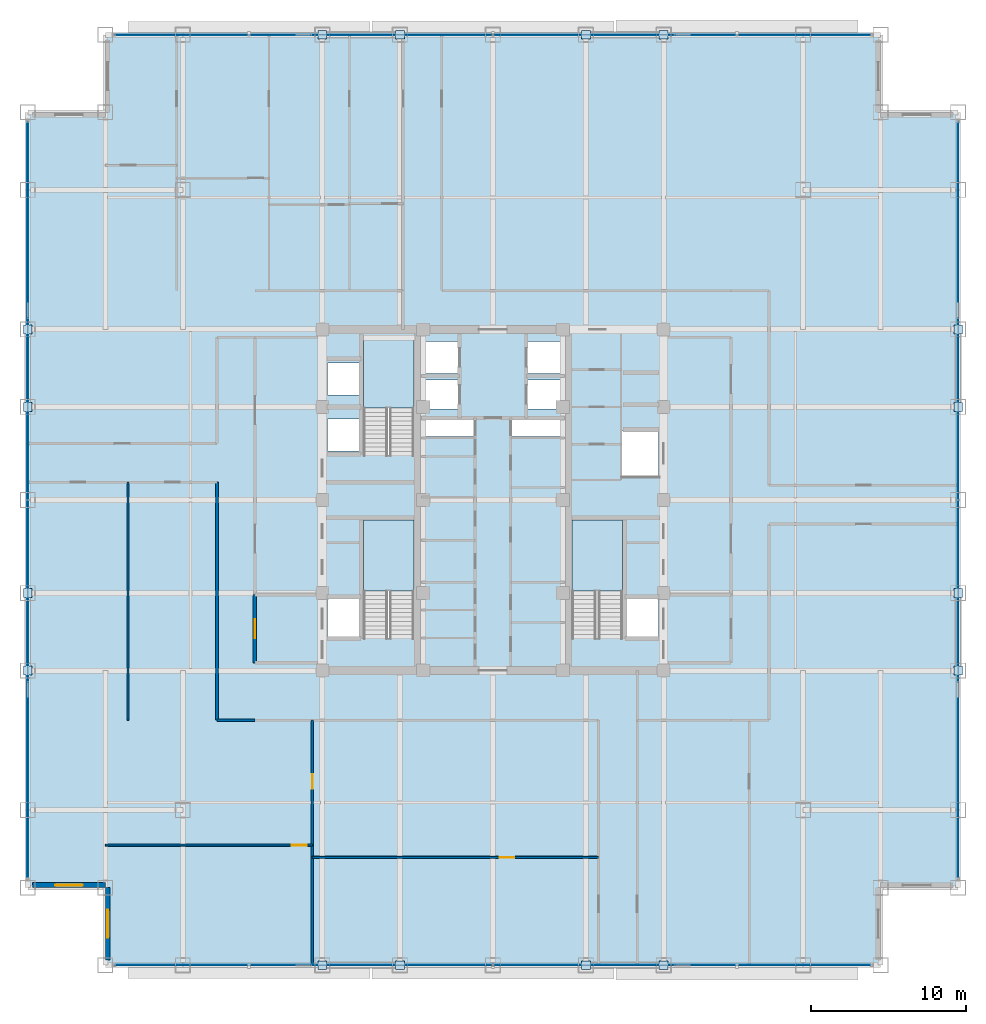
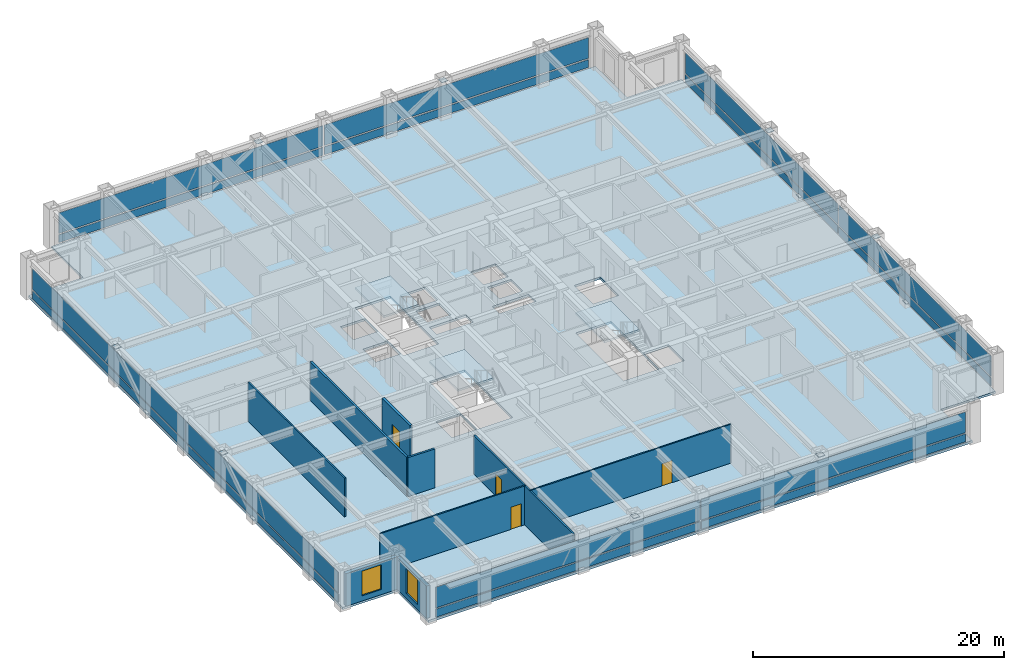
# One storey, part 19 of 29: 32 plates, 9 walls, 4 doors, 4 slabs, 2 windows, 6 openings, 7 elements without a shape of their own.
"""IFC4 building model written with IfcOpenShell, lengths in metres."""

from ifc_helpers import new_model, si_unit, direction, frame, frame_2d, origin, origin_2d, place, context, subcontext, project, spatial, polyline, rectangle, outline, extrude, source, transform, mapped, material, layer, layer_set, type_object, element, fill, aggregate, save


model = new_model("IFC4")

# Units and contexts
model_context = context("Model", 3, precision=1e-05, world=origin(), true_north=direction((0.0, 1.0)))
body_context = subcontext(model_context, "Body", "Model", "MODEL_VIEW")
ifc_project = project(units=[si_unit("LENGTHUNIT", "METRE"), si_unit("AREAUNIT", "SQUARE_METRE"), si_unit("VOLUMEUNIT", "CUBIC_METRE"), si_unit("PLANEANGLEUNIT", "RADIAN"), si_unit("MASSUNIT", "GRAM", prefix="KILO")], contexts=[model_context])

# Site, building, storey
site_placement = place(None, origin())
site = spatial("IfcSite", under=ifc_project, at=site_placement, CompositionType="ELEMENT")
building_placement = place(site_placement, origin())
building = spatial("IfcBuilding", under=site, at=building_placement, Name="Khorayat Bourse Tower", CompositionType="ELEMENT")
storey_placement = place(building_placement, frame((0.0, 0.0, 239.10009765625)))
storey = spatial("IfcBuildingStorey", under=building, at=storey_placement, Name="L56", CompositionType="ELEMENT", Elevation=239.10009765625)

# Stair, slab
ifc_material_1 = material(Name="Concrete C40/50", Category="concrete")
stair_type = type_object("IfcStairType", Name="STR-CORE-1550", PredefinedType="HALF_TURN_STAIR", material=ifc_material_1)
stair_1_placement = place(storey_placement, origin())
stair_1 = element("IfcStair", 1, at=stair_1_placement, inside=storey, type_object=stair_type, Name="L56 Exit Stair ST-1", PredefinedType="HALF_TURN_STAIR")
ifc_layer_1 = layer(ifc_material_1, 0.199951171875)
ifc_layer_set_1 = layer_set([ifc_layer_1], Name="Concrete C40/50")
slab_type_1 = type_object("IfcSlabType", Name="SLB-LANDING-200", PredefinedType="LANDING", material=ifc_layer_set_1)
slab_1_placement = place(storey_placement, frame((0.0, 0.0, 1.7998046875)))
slab_1 = element("IfcSlab", 2, at=slab_1_placement, type_object=slab_type_1, Name="ST-1 landing 1", PredefinedType="LANDING", context=body_context, shape_type="SweptSolid", body=[
    extrude(outline(polyline([(-5.10009765625, -5.8701171875), (-5.10009765625, -1.300048828125), (-8.35009765625, -1.300048828125), (-8.35009765625, -5.8701171875), (-5.10009765625, -5.8701171875)])), origin(), (0.0, 0.0, 1.0), 0.2001953125),
])
aggregate(stair_1, [slab_1])

stair_2_placement = place(storey_placement, origin())
stair_2 = element("IfcStair", 3, at=stair_2_placement, inside=storey, type_object=stair_type, Name="L56 Exit Stair ST-2", PredefinedType="HALF_TURN_STAIR")
slab_2_placement = place(storey_placement, frame((0.0, 0.0, 1.7998046875)))
slab_2 = element("IfcSlab", 4, at=slab_2_placement, type_object=slab_type_1, Name="ST-2 landing 1", PredefinedType="LANDING", context=body_context, shape_type="SweptSolid", body=[
    extrude(outline(polyline([(-5.10009765625, 5.929931640625), (-5.10009765625, 10.5), (-8.35009765625, 10.5), (-8.35009765625, 5.929931640625), (-5.10009765625, 5.929931640625)])), origin(), (0.0, 0.0, 1.0), 0.2001953125),
])
aggregate(stair_2, [slab_2])

stair_3_placement = place(storey_placement, origin())
stair_3 = element("IfcStair", 5, at=stair_3_placement, inside=storey, type_object=stair_type, Name="L56 Exit Stair ST-3", PredefinedType="HALF_TURN_STAIR")
slab_3_placement = place(storey_placement, frame((0.0, 0.0, 1.7998046875)))
slab_3 = element("IfcSlab", 6, at=slab_3_placement, type_object=slab_type_1, Name="ST-3 landing 1", PredefinedType="LANDING", context=body_context, shape_type="SweptSolid", body=[
    extrude(outline(polyline([(8.35009765625, -5.8701171875), (8.35009765625, -1.300048828125), (5.10009765625, -1.300048828125), (5.10009765625, -5.8701171875), (8.35009765625, -5.8701171875)])), origin(), (0.0, 0.0, 1.0), 0.2001953125),
])
aggregate(stair_3, [slab_3])

# Slab
ifc_layer_2 = layer(ifc_material_1, 0.219970703125)
ifc_layer_set_2 = layer_set([ifc_layer_2], Name="Concrete C40/50")
slab_type_2 = type_object("IfcSlabType", Name="SLB-OFFICE-220", PredefinedType="FLOOR", material=ifc_layer_set_2)
slab_4_placement = place(storey_placement, frame((0.0, 0.0, -0.22021484375)))
element("IfcSlab", 7, at=slab_4_placement, inside=storey, type_object=slab_type_2, Name="L56 Main Floor Slab", PredefinedType="FLOOR", context=body_context, shape_type="SweptSolid", body=[
    extrude(outline(polyline([(-25.0, -30.0), (25.0, -30.0), (25.0, -25.0), (30.0, -25.0), (30.0, 25.0), (25.0, 25.0), (25.0, 30.0), (-25.0, 30.0), (-25.0, 25.0), (-30.0, 25.0), (-30.0, -25.0), (-25.0, -25.0), (-25.0, -30.0)]), holes=[polyline([(-8.35009765625, -8.945068359375), (-5.10009765625, -8.945068359375), (-5.10009765625, -1.300048828125), (-8.35009765625, -1.300048828125), (-8.35009765625, -8.945068359375)]), polyline([(-8.35009765625, 2.85498046875), (-5.10009765625, 2.85498046875), (-5.10009765625, 10.5), (-8.35009765625, 10.5), (-8.35009765625, 2.85498046875)]), polyline([(5.10009765625, -8.945068359375), (8.35009765625, -8.945068359375), (8.35009765625, -1.300048828125), (5.10009765625, -1.300048828125), (5.10009765625, -8.945068359375)]), polyline([(-4.3798828125, 8.169921875), (-2.1201171875, 8.169921875), (-2.1201171875, 10.22998046875), (-4.3798828125, 10.22998046875), (-4.3798828125, 8.169921875)]), polyline([(2.1201171875, 8.169921875), (4.3798828125, 8.169921875), (4.3798828125, 10.22998046875), (2.1201171875, 10.22998046875), (2.1201171875, 8.169921875)]), polyline([(-4.3798828125, 5.8701171875), (-2.219970703125, 5.8701171875), (-2.219970703125, 7.72998046875), (-4.3798828125, 7.72998046875), (-4.3798828125, 5.8701171875)]), polyline([(2.219970703125, 5.8701171875), (4.3798828125, 5.8701171875), (4.3798828125, 7.72998046875), (2.219970703125, 7.72998046875), (2.219970703125, 5.8701171875)]), polyline([(-10.679931640625, 3.169921875), (-8.419921875, 3.169921875), (-8.419921875, 5.22998046875), (-10.679931640625, 5.22998046875), (-10.679931640625, 3.169921875)]), polyline([(-10.679931640625, 6.77001953125), (-8.419921875, 6.77001953125), (-8.419921875, 8.830078125), (-10.679931640625, 8.830078125), (-10.679931640625, 6.77001953125)]), polyline([(-10.679931640625, -8.929931640625), (-8.419921875, -8.929931640625), (-8.419921875, -6.3701171875), (-10.679931640625, -6.3701171875), (-10.679931640625, -8.929931640625)]), polyline([(8.419921875, -8.929931640625), (10.679931640625, -8.929931640625), (10.679931640625, -6.3701171875), (8.419921875, -6.3701171875), (8.419921875, -8.929931640625)]), polyline([(8.320068359375, 1.52001953125), (10.679931640625, 1.52001953125), (10.679931640625, 4.47998046875), (8.320068359375, 4.47998046875), (8.320068359375, 1.52001953125)]), polyline([(-4.56005859375, 4.080078125), (-1.18994140625, 4.080078125), (-1.18994140625, 5.219970703125), (-4.56005859375, 5.219970703125), (-4.56005859375, 4.080078125)]), polyline([(1.18994140625, 4.080078125), (4.56005859375, 4.080078125), (4.56005859375, 5.219970703125), (1.18994140625, 5.219970703125), (1.18994140625, 4.080078125)])]), origin(), (0.0, 0.0, 1.0), 0.22021484375),
])

# Plates
ifc_material_2 = material(Name="Steel EN 10025-2 S355J2", Category="steel")
ifc_layer_3 = layer(ifc_material_2, 0.02490234375)
ifc_layer_set_3 = layer_set([ifc_layer_3], Name="Steel EN 10025-2 S355J2")
plate_type_1 = type_object("IfcPlateType", Name="PLT-ENDCAP-25", PredefinedType="SHEET", material=ifc_layer_set_3)
shared_shape_1 = source(origin(), body_context, "Body", "SweptSolid", [
    extrude(rectangle(XDim=0.56005859375, YDim=0.56005859375, at=origin_2d()), origin(), (0.0, 0.0, 1.0), 0.02490234375),
])
for number, where, z_axis, x_axis, name in (
    (8, (-11.0, -30.0, 0.237548828125), (0.0, 0.0, 1.0), (1.0, 0.0, 0.0), "L56 Perimeter Brace End Plate 001"),
    (9, (-6.0, -30.0, 3.517333984375), (0.0, 0.0, 1.0), (1.0, 0.0, 0.0), "L56 Perimeter Brace End Plate 002"),
    (10, (6.0, -30.0, 0.237548828125), (0.0, 0.0, 1.0), (1.0, 0.0, 0.0), "L56 Perimeter Brace End Plate 003"),
    (11, (11.0, -30.0, 3.517333984375), (0.0, 0.0, 1.0), (1.0, 0.0, 0.0), "L56 Perimeter Brace End Plate 004"),
    (12, (-11.0, 30.0, 0.237548828125), (0.0, 0.0, 1.0), (1.0, 0.0, 0.0), "L56 Perimeter Brace End Plate 005"),
    (13, (-6.0, 30.0, 3.517333984375), (0.0, 0.0, 1.0), (1.0, 0.0, 0.0), "L56 Perimeter Brace End Plate 006"),
    (14, (6.0, 30.0, 0.237548828125), (0.0, 0.0, 1.0), (1.0, 0.0, 0.0), "L56 Perimeter Brace End Plate 007"),
    (15, (11.0, 30.0, 3.517333984375), (0.0, 0.0, 1.0), (1.0, 0.0, 0.0), "L56 Perimeter Brace End Plate 008"),
    (16, (-30.0, -11.0, 0.237548828125), (0.0, 0.0, 1.0), (1.0, 0.0, 0.0), "L56 Perimeter Brace End Plate 009"),
    (17, (-30.0, -6.0, 3.517333984375), (0.0, 0.0, 1.0), (1.0, 0.0, 0.0), "L56 Perimeter Brace End Plate 010"),
    (18, (-30.0, 6.0, 0.237548828125), (0.0, 0.0, 1.0), (1.0, 0.0, 0.0), "L56 Perimeter Brace End Plate 011"),
    (19, (-30.0, 11.0, 3.517333984375), (0.0, 0.0, 1.0), (1.0, 0.0, 0.0), "L56 Perimeter Brace End Plate 012"),
    (20, (30.0, -11.0, 0.237548828125), (0.0, 0.0, 1.0), (1.0, 0.0, 0.0), "L56 Perimeter Brace End Plate 013"),
    (21, (30.0, -6.0, 3.517333984375), (0.0, 0.0, 1.0), (1.0, 0.0, 0.0), "L56 Perimeter Brace End Plate 014"),
    (22, (30.0, 6.0, 0.237548828125), (0.0, 0.0, 1.0), (1.0, 0.0, 0.0), "L56 Perimeter Brace End Plate 015"),
    (23, (30.0, 11.0, 3.517333984375), (0.0, 0.0, 1.0), (1.0, 0.0, 0.0), "L56 Perimeter Brace End Plate 016"),
):
    element("IfcPlate", number, at=place(storey_placement, frame(where, z_axis=z_axis, x_axis=x_axis)), inside=storey, type_object=plate_type_1, Name=name, PredefinedType="SHEET", context=body_context, shape_type="MappedRepresentation", body=[
        mapped(shared_shape_1, transform((0.0, 0.0, 0.0), scale=1.0)),
    ])

# Curtain wall, plates
ifc_material_3 = material(Name="Aluminium EN AW-6063 T6", Category="aluminium")
curtain_wall_type = type_object("IfcCurtainWallType", Name="CW-SYS-03", PredefinedType="NOTDEFINED", material=ifc_material_3)
curtain_wall_1_placement = place(storey_placement, origin())
curtain_wall_1 = element("IfcCurtainWall", 24, at=curtain_wall_1_placement, inside=storey, type_object=curtain_wall_type, Name="L56 Curtain Wall CW-L56-S1", PredefinedType="NOTDEFINED")
ifc_material_4 = material(Name="Honed desert limestone insulated spandrel", Category="masonry")
ifc_layer_4 = layer(ifc_material_4, 0.06494140625)
ifc_layer_set_4 = layer_set([ifc_layer_4], Name="Honed desert limestone insulated spandrel")
plate_type_2 = type_object("IfcPlateType", Name="CWP-SPAND-03", PredefinedType="CURTAIN_PANEL", material=ifc_layer_set_4)
shared_shape_2 = source(origin(), body_context, "Body", "SweptSolid", [
    extrude(rectangle(XDim=24.27001953125, YDim=0.06494140625, at=origin_2d()), origin(), (0.0, 0.0, 1.0), 0.77001953125),
])
plate_1_placement = place(storey_placement, frame((-12.195068359375, -30.0, 0.119873046875), z_axis=(0.0, 0.0, 1.0), x_axis=(1.0, 0.0, 0.0)))
plate_1 = element("IfcPlate", 25, at=plate_1_placement, type_object=plate_type_2, Name="CW-L56-S1 Spandrel Panel 1-1", PredefinedType="CURTAIN_PANEL", context=body_context, shape_type="MappedRepresentation", body=[
    mapped(shared_shape_2, transform((0.0, 0.0, 0.0), scale=1.0)),
])
plate_2_placement = place(storey_placement, frame((12.195068359375, -30.0, 0.119873046875), z_axis=(0.0, 0.0, 1.0), x_axis=(1.0, 0.0, 0.0)))
plate_2 = element("IfcPlate", 26, at=plate_2_placement, type_object=plate_type_2, Name="CW-L56-S1 Spandrel Panel 2-1", PredefinedType="CURTAIN_PANEL", context=body_context, shape_type="MappedRepresentation", body=[
    mapped(shared_shape_2, transform((0.0, 0.0, 0.0), scale=1.0)),
])

curtain_wall_2_placement = place(storey_placement, origin())
curtain_wall_2 = element("IfcCurtainWall", 27, at=curtain_wall_2_placement, inside=storey, type_object=curtain_wall_type, Name="L56 Curtain Wall CW-L56-N1", PredefinedType="NOTDEFINED")
plate_3_placement = place(storey_placement, frame((-12.195068359375, 30.0, 0.119873046875), z_axis=(0.0, 0.0, 1.0), x_axis=(1.0, 0.0, 0.0)))
plate_3 = element("IfcPlate", 28, at=plate_3_placement, type_object=plate_type_2, Name="CW-L56-N1 Spandrel Panel 1-1", PredefinedType="CURTAIN_PANEL", context=body_context, shape_type="MappedRepresentation", body=[
    mapped(shared_shape_2, transform((0.0, 0.0, 0.0), scale=1.0)),
])
plate_4_placement = place(storey_placement, frame((12.195068359375, 30.0, 0.119873046875), z_axis=(0.0, 0.0, 1.0), x_axis=(1.0, 0.0, 0.0)))
plate_4 = element("IfcPlate", 29, at=plate_4_placement, type_object=plate_type_2, Name="CW-L56-N1 Spandrel Panel 2-1", PredefinedType="CURTAIN_PANEL", context=body_context, shape_type="MappedRepresentation", body=[
    mapped(shared_shape_2, transform((0.0, 0.0, 0.0), scale=1.0)),
])

curtain_wall_3_placement = place(storey_placement, origin())
curtain_wall_3 = element("IfcCurtainWall", 30, at=curtain_wall_3_placement, inside=storey, type_object=curtain_wall_type, Name="L56 Curtain Wall CW-L56-W1", PredefinedType="NOTDEFINED")
plate_5_placement = place(storey_placement, frame((-30.0, -12.195068359375, 0.119873046875), z_axis=(0.0, 0.0, 1.0), x_axis=(0.0, 1.0, 0.0)))
plate_5 = element("IfcPlate", 31, at=plate_5_placement, type_object=plate_type_2, Name="CW-L56-W1 Spandrel Panel 1-1", PredefinedType="CURTAIN_PANEL", context=body_context, shape_type="MappedRepresentation", body=[
    mapped(shared_shape_2, transform((0.0, 0.0, 0.0), scale=1.0)),
])
plate_6_placement = place(storey_placement, frame((-30.0, 12.195068359375, 0.119873046875), z_axis=(0.0, 0.0, 1.0), x_axis=(0.0, 1.0, 0.0)))
plate_6 = element("IfcPlate", 32, at=plate_6_placement, type_object=plate_type_2, Name="CW-L56-W1 Spandrel Panel 2-1", PredefinedType="CURTAIN_PANEL", context=body_context, shape_type="MappedRepresentation", body=[
    mapped(shared_shape_2, transform((0.0, 0.0, 0.0), scale=1.0)),
])

curtain_wall_4_placement = place(storey_placement, origin())
curtain_wall_4 = element("IfcCurtainWall", 33, at=curtain_wall_4_placement, inside=storey, type_object=curtain_wall_type, Name="L56 Curtain Wall CW-L56-E1", PredefinedType="NOTDEFINED")
plate_7_placement = place(storey_placement, frame((30.0, -12.195068359375, 0.119873046875), z_axis=(0.0, 0.0, 1.0), x_axis=(0.0, 1.0, 0.0)))
plate_7 = element("IfcPlate", 34, at=plate_7_placement, type_object=plate_type_2, Name="CW-L56-E1 Spandrel Panel 1-1", PredefinedType="CURTAIN_PANEL", context=body_context, shape_type="MappedRepresentation", body=[
    mapped(shared_shape_2, transform((0.0, 0.0, 0.0), scale=1.0)),
])
plate_8_placement = place(storey_placement, frame((30.0, 12.195068359375, 0.119873046875), z_axis=(0.0, 0.0, 1.0), x_axis=(0.0, 1.0, 0.0)))
plate_8 = element("IfcPlate", 35, at=plate_8_placement, type_object=plate_type_2, Name="CW-L56-E1 Spandrel Panel 2-1", PredefinedType="CURTAIN_PANEL", context=body_context, shape_type="MappedRepresentation", body=[
    mapped(shared_shape_2, transform((0.0, 0.0, 0.0), scale=1.0)),
])

# Plate
ifc_material_5 = material(Name="Low-E solar-control laminated double glazing", Category="glass")
ifc_layer_5 = layer(ifc_material_5, 0.035888671875)
ifc_layer_set_5 = layer_set([ifc_layer_5], Name="Low-E solar-control laminated double glazing")
plate_type_3 = type_object("IfcPlateType", Name="CWP-VIS-01", PredefinedType="CURTAIN_PANEL", material=ifc_layer_set_5)
shared_shape_3 = source(origin(), body_context, "Body", "SweptSolid", [
    extrude(rectangle(XDim=24.27001953125, YDim=0.035888671875, at=origin_2d()), origin(), (0.0, 0.0, 1.0), 2.0),
])
plate_9_placement = place(storey_placement, frame((-12.195068359375, -30.0, 1.010009765625), z_axis=(0.0, 0.0, 1.0), x_axis=(1.0, 0.0, 0.0)))
plate_9 = element("IfcPlate", 36, at=plate_9_placement, type_object=plate_type_3, Name="CW-L56-S1 Vision Panel 1-2", PredefinedType="CURTAIN_PANEL", context=body_context, shape_type="MappedRepresentation", body=[
    mapped(shared_shape_3, transform((0.0, 0.0, 0.0), scale=1.0)),
])

plate_10_placement = place(storey_placement, frame((12.195068359375, -30.0, 1.010009765625), z_axis=(0.0, 0.0, 1.0), x_axis=(1.0, 0.0, 0.0)))
plate_10 = element("IfcPlate", 37, at=plate_10_placement, type_object=plate_type_3, Name="CW-L56-S1 Vision Panel 2-2", PredefinedType="CURTAIN_PANEL", context=body_context, shape_type="MappedRepresentation", body=[
    mapped(shared_shape_3, transform((0.0, 0.0, 0.0), scale=1.0)),
])

aggregate(curtain_wall_1, [plate_1, plate_9, plate_2, plate_10])

plate_11_placement = place(storey_placement, frame((-12.195068359375, 30.0, 1.010009765625), z_axis=(0.0, 0.0, 1.0), x_axis=(1.0, 0.0, 0.0)))
plate_11 = element("IfcPlate", 38, at=plate_11_placement, type_object=plate_type_3, Name="CW-L56-N1 Vision Panel 1-2", PredefinedType="CURTAIN_PANEL", context=body_context, shape_type="MappedRepresentation", body=[
    mapped(shared_shape_3, transform((0.0, 0.0, 0.0), scale=1.0)),
])

plate_12_placement = place(storey_placement, frame((12.195068359375, 30.0, 1.010009765625), z_axis=(0.0, 0.0, 1.0), x_axis=(1.0, 0.0, 0.0)))
plate_12 = element("IfcPlate", 39, at=plate_12_placement, type_object=plate_type_3, Name="CW-L56-N1 Vision Panel 2-2", PredefinedType="CURTAIN_PANEL", context=body_context, shape_type="MappedRepresentation", body=[
    mapped(shared_shape_3, transform((0.0, 0.0, 0.0), scale=1.0)),
])

aggregate(curtain_wall_2, [plate_3, plate_11, plate_4, plate_12])

plate_13_placement = place(storey_placement, frame((-30.0, -12.195068359375, 1.010009765625), z_axis=(0.0, 0.0, 1.0), x_axis=(0.0, 1.0, 0.0)))
plate_13 = element("IfcPlate", 40, at=plate_13_placement, type_object=plate_type_3, Name="CW-L56-W1 Vision Panel 1-2", PredefinedType="CURTAIN_PANEL", context=body_context, shape_type="MappedRepresentation", body=[
    mapped(shared_shape_3, transform((0.0, 0.0, 0.0), scale=1.0)),
])

plate_14_placement = place(storey_placement, frame((-30.0, 12.195068359375, 1.010009765625), z_axis=(0.0, 0.0, 1.0), x_axis=(0.0, 1.0, 0.0)))
plate_14 = element("IfcPlate", 41, at=plate_14_placement, type_object=plate_type_3, Name="CW-L56-W1 Vision Panel 2-2", PredefinedType="CURTAIN_PANEL", context=body_context, shape_type="MappedRepresentation", body=[
    mapped(shared_shape_3, transform((0.0, 0.0, 0.0), scale=1.0)),
])

aggregate(curtain_wall_3, [plate_5, plate_13, plate_6, plate_14])

plate_15_placement = place(storey_placement, frame((30.0, -12.195068359375, 1.010009765625), z_axis=(0.0, 0.0, 1.0), x_axis=(0.0, 1.0, 0.0)))
plate_15 = element("IfcPlate", 42, at=plate_15_placement, type_object=plate_type_3, Name="CW-L56-E1 Vision Panel 1-2", PredefinedType="CURTAIN_PANEL", context=body_context, shape_type="MappedRepresentation", body=[
    mapped(shared_shape_3, transform((0.0, 0.0, 0.0), scale=1.0)),
])

plate_16_placement = place(storey_placement, frame((30.0, 12.195068359375, 1.010009765625), z_axis=(0.0, 0.0, 1.0), x_axis=(0.0, 1.0, 0.0)))
plate_16 = element("IfcPlate", 43, at=plate_16_placement, type_object=plate_type_3, Name="CW-L56-E1 Vision Panel 2-2", PredefinedType="CURTAIN_PANEL", context=body_context, shape_type="MappedRepresentation", body=[
    mapped(shared_shape_3, transform((0.0, 0.0, 0.0), scale=1.0)),
])

aggregate(curtain_wall_4, [plate_7, plate_15, plate_8, plate_16])

# Wall, opening, window
ifc_material_6 = material(Name="Precast concrete C45/55", Category="concrete")
ifc_layer_6 = layer(ifc_material_6, 0.320068359375)
ifc_layer_set_6 = layer_set([ifc_layer_6], Name="Precast concrete C45/55")
wall_type_1 = type_object("IfcWallType", Name="WAL-EXT-STONE-320", PredefinedType="STANDARD", material=ifc_layer_set_6)
shared_shape_4 = source(origin(), body_context, "Body", "SweptSolid", [
    extrude(rectangle(XDim=4.679931640625, YDim=0.320068359375, at=frame_2d((2.33984375, 0.0))), origin(), (0.0, 0.0, 1.0), 3.163818359375),
])
wall_1_placement = place(storey_placement, frame((-25.0, -24.840087890625, 0.0), z_axis=(0.0, 0.0, 1.0), x_axis=(-1.0, 0.0, 0.0)))
wall_1 = element("IfcWall", 44, at=wall_1_placement, inside=storey, type_object=wall_type_1, Name="L56 Re-Entrant Notch Limestone Wall SW-H", PredefinedType="STANDARD", context=body_context, shape_type="MappedRepresentation", body=[
    mapped(shared_shape_4, transform((0.0, 0.0, 0.0), scale=1.0)),
])
shared_shape_5 = source(origin(), body_context, "Body", "SweptSolid", [
    extrude(rectangle(XDim=1.800048828125, YDim=2.39990234375, at=frame_2d((0.89990234375, 1.199951171875))), frame((0.0, 0.169921875, 0.0), z_axis=(0.0, -1.0, 0.0), x_axis=(1.0, 0.0, 0.0)), (0.0, 0.0, 1.0), 0.340087890625),
])
opening_1_placement = place(wall_1_placement, frame((1.43994140625, 0.0, 0.5)))
opening_1 = element("IfcOpeningElement", 45, at=opening_1_placement, cuts=wall_1, Name="Opening WN-04", PredefinedType="OPENING", context=body_context, shape_type="MappedRepresentation", body=[
    mapped(shared_shape_5, transform((0.0, 0.0, 0.0), scale=1.0)),
])
ifc_material_7 = material(Name="Low-E acoustic laminated double glazing", Category="glass")
window_type = type_object("IfcWindowType", Name="WIN-NOTCH-1800x2400", PartitioningType="SINGLE_PANEL", PredefinedType="WINDOW", material=ifc_material_7)
shared_shape_6 = source(origin(), body_context, "Body", "SweptSolid", [
    extrude(rectangle(XDim=1.800048828125, YDim=2.39990234375, at=frame_2d((0.89990234375, 1.199951171875))), frame((0.0, 0.030029296875, 0.0), z_axis=(0.0, -1.0, 0.0), x_axis=(1.0, 0.0, 0.0)), (0.0, 0.0, 1.0), 0.06005859375),
])
window_1_placement = place(opening_1_placement, origin())
window_1 = element("IfcWindow", 46, at=window_1_placement, inside=storey, type_object=window_type, Name="L56 Facade Window 1", OverallHeight=2.39990234375, OverallWidth=1.800048828125, PartitioningType="SINGLE_PANEL", PredefinedType="WINDOW", context=body_context, shape_type="MappedRepresentation", body=[
    mapped(shared_shape_6, transform((0.0, 0.0, 0.0), scale=1.0)),
])
fill(opening_1, window_1)

wall_2_placement = place(storey_placement, frame((-24.840087890625, -29.679931640625, 0.0), z_axis=(0.0, 0.0, 1.0), x_axis=(0.0, 1.0, 0.0)))
wall_2 = element("IfcWall", 47, at=wall_2_placement, inside=storey, type_object=wall_type_1, Name="L56 Re-Entrant Notch Limestone Wall SW-V", PredefinedType="STANDARD", context=body_context, shape_type="MappedRepresentation", body=[
    mapped(shared_shape_4, transform((0.0, 0.0, 0.0), scale=1.0)),
])
opening_2_placement = place(wall_2_placement, frame((1.43994140625, 0.0, 0.5)))
opening_2 = element("IfcOpeningElement", 48, at=opening_2_placement, cuts=wall_2, Name="Opening WN-04", PredefinedType="OPENING", context=body_context, shape_type="MappedRepresentation", body=[
    mapped(shared_shape_5, transform((0.0, 0.0, 0.0), scale=1.0)),
])
window_2_placement = place(opening_2_placement, origin())
window_2 = element("IfcWindow", 49, at=window_2_placement, inside=storey, type_object=window_type, Name="L56 Facade Window 1", OverallHeight=2.39990234375, OverallWidth=1.800048828125, PartitioningType="SINGLE_PANEL", PredefinedType="WINDOW", context=body_context, shape_type="MappedRepresentation", body=[
    mapped(shared_shape_6, transform((0.0, 0.0, 0.0), scale=1.0)),
])
fill(opening_2, window_2)

# Wall, opening, door
ifc_material_8 = material(Name="Aerated concrete blockwork", Category="masonry")
ifc_layer_7 = layer(ifc_material_8, 0.219970703125)
ifc_layer_set_7 = layer_set([ifc_layer_7], Name="Aerated concrete blockwork")
wall_type_2 = type_object("IfcWallType", Name="WAL-PART-FF-220", PredefinedType="PARTITIONING", material=ifc_layer_set_7)
shared_shape_7 = source(origin(), body_context, "Body", "SweptSolid", [
    extrude(rectangle(XDim=4.39990234375, YDim=0.219970703125, at=frame_2d((2.199951171875, 0.0))), origin(), (0.0, 0.0, 1.0), 3.77978515625),
])
wall_3_placement = place(storey_placement, frame((-15.35009765625, -10.5, 0.0), z_axis=(0.0, 0.0, 1.0), x_axis=(0.0, 1.0, 0.0)))
wall_3 = element("IfcWall", 50, at=wall_3_placement, inside=storey, type_object=wall_type_2, Name="L56 Partition WAL-L56-FFLW-W", PredefinedType="PARTITIONING", context=body_context, shape_type="MappedRepresentation", body=[
    mapped(shared_shape_7, transform((0.0, 0.0, 0.0), scale=1.0)),
])
shared_shape_8 = source(origin(), body_context, "Body", "SweptSolid", [
    extrude(rectangle(XDim=1.199951171875, YDim=2.199951171875, at=frame_2d((0.60009765625, 1.10009765625))), frame((0.0, 0.119873046875, 0.0), z_axis=(0.0, -1.0, 0.0), x_axis=(1.0, 0.0, 0.0)), (0.0, 0.0, 1.0), 0.239990234375),
])
opening_3_placement = place(wall_3_placement, frame((1.60009765625, 0.0, 0.0)))
opening_3 = element("IfcOpeningElement", 51, at=opening_3_placement, cuts=wall_3, Name="Opening DI-02", PredefinedType="OPENING", context=body_context, shape_type="MappedRepresentation", body=[
    mapped(shared_shape_8, transform((0.0, 0.0, 0.0), scale=1.0)),
])
ifc_material_9 = material(Name="Fire-rated steel double-seal leaf", Category="steel")
door_type_1 = type_object("IfcDoorType", Name="DR-INT-FFLOBBY-1200", OperationType="NOTDEFINED", PredefinedType="DOOR", material=ifc_material_9)
shared_shape_9 = source(origin(), body_context, "Body", "SweptSolid", [
    extrude(rectangle(XDim=1.199951171875, YDim=2.199951171875, at=frame_2d((0.60009765625, 1.10009765625))), frame((0.0, 0.02490234375, 0.0), z_axis=(0.0, -1.0, 0.0), x_axis=(1.0, 0.0, 0.0)), (0.0, 0.0, 1.0), 0.050048828125),
])
door_1_placement = place(opening_3_placement, origin())
door_1 = element("IfcDoor", 52, at=door_1_placement, inside=storey, type_object=door_type_1, Name="L56 West Firefighting Lobby Door", OperationType="SINGLE_SWING_LEFT", OverallHeight=2.199951171875, OverallWidth=1.199951171875, PredefinedType="DOOR", context=body_context, shape_type="MappedRepresentation", body=[
    mapped(shared_shape_9, transform((0.0, 0.0, 0.0), scale=1.0)),
])
fill(opening_3, door_1)

# Wall
ifc_material_10 = material(Name="Gypsum plasterboard acoustic stud wall")
ifc_layer_8 = layer(ifc_material_10, 0.179931640625)
ifc_layer_set_8 = layer_set([ifc_layer_8], Name="Gypsum plasterboard acoustic stud wall")
wall_type_3 = type_object("IfcWallType", Name="WAL-PART-CORR-180", PredefinedType="PARTITIONING", material=ifc_layer_set_8)
shared_shape_10 = source(origin(), body_context, "Body", "SweptSolid", [
    extrude(rectangle(XDim=2.449951171875, YDim=0.179931640625, at=frame_2d((1.22509765625, 0.0))), origin(), (0.0, 0.0, 1.0), 3.77978515625),
])
wall_4_placement = place(storey_placement, frame((-17.800048828125, -14.199951171875, 0.0), z_axis=(0.0, 0.0, 1.0), x_axis=(1.0, 0.0, 0.0)))
element("IfcWall", 53, at=wall_4_placement, inside=storey, type_object=wall_type_3, Name="L56 Partition WAL-L56-C2-WS", PredefinedType="PARTITIONING", context=body_context, shape_type="MappedRepresentation", body=[
    mapped(shared_shape_10, transform((0.0, 0.0, 0.0), scale=1.0)),
])

# Wall, opening, door
ifc_material_11 = material(Name="Gypsum plasterboard twin-frame partition")
ifc_layer_9 = layer(ifc_material_11, 0.14990234375)
ifc_layer_set_9 = layer_set([ifc_layer_9], Name="Gypsum plasterboard twin-frame partition")
wall_type_4 = type_object("IfcWallType", Name="WAL-PART-SUITE-150", PredefinedType="PARTITIONING", material=ifc_layer_set_9)
shared_shape_11 = source(origin(), body_context, "Body", "SweptSolid", [
    extrude(rectangle(XDim=15.800048828125, YDim=0.14990234375, at=frame_2d((7.89990234375, 0.0))), origin(), (0.0, 0.0, 1.0), 3.77978515625),
])
wall_5_placement = place(storey_placement, frame((-11.64404296875, -30.0, 0.0), z_axis=(0.0, 0.0, 1.0), x_axis=(0.0, 1.0, 0.0)))
wall_5 = element("IfcWall", 54, at=wall_5_placement, inside=storey, type_object=wall_type_4, Name="L56 Partition WAL-L56-QSWDV-1", PredefinedType="PARTITIONING", context=body_context, shape_type="MappedRepresentation", body=[
    mapped(shared_shape_11, transform((0.0, 0.0, 0.0), scale=1.0)),
])
shared_shape_12 = source(origin(), body_context, "Body", "SweptSolid", [
    extrude(rectangle(XDim=0.949951171875, YDim=2.14990234375, at=frame_2d((0.47509765625, 1.074951171875))), frame((0.0, 0.0849609375, 0.0), z_axis=(0.0, -1.0, 0.0), x_axis=(1.0, 0.0, 0.0)), (0.0, 0.0, 1.0), 0.169921875),
])
opening_4_placement = place(wall_5_placement, frame((11.375, 0.0, 0.0)))
opening_4 = element("IfcOpeningElement", 55, at=opening_4_placement, cuts=wall_5, Name="Opening DI-05", PredefinedType="OPENING", context=body_context, shape_type="MappedRepresentation", body=[
    mapped(shared_shape_12, transform((0.0, 0.0, 0.0), scale=1.0)),
])
ifc_material_12 = material(Name="Acoustic oak veneer office door")
door_type_2 = type_object("IfcDoorType", Name="DR-INT-OFFICE-950", OperationType="NOTDEFINED", PredefinedType="DOOR", material=ifc_material_12)
shared_shape_13 = source(origin(), body_context, "Body", "SweptSolid", [
    extrude(rectangle(XDim=0.949951171875, YDim=2.14990234375, at=frame_2d((0.47509765625, 1.074951171875))), frame((0.0, 0.02490234375, 0.0), z_axis=(0.0, -1.0, 0.0), x_axis=(1.0, 0.0, 0.0)), (0.0, 0.0, 1.0), 0.050048828125),
])
door_2_placement = place(opening_4_placement, origin())
door_2 = element("IfcDoor", 56, at=door_2_placement, inside=storey, type_object=door_type_2, Name="L56 South-West Suite Link 1", OperationType="SINGLE_SWING_RIGHT", OverallHeight=2.14990234375, OverallWidth=0.949951171875, PredefinedType="DOOR", context=body_context, shape_type="MappedRepresentation", body=[
    mapped(shared_shape_13, transform((0.0, 0.0, 0.0), scale=1.0)),
])
fill(opening_4, door_2)

ifc_material_13 = material(Name="Gypsum plasterboard partition")
ifc_layer_10 = layer(ifc_material_13, 0.125)
ifc_layer_set_10 = layer_set([ifc_layer_10], Name="Gypsum plasterboard partition")
wall_type_5 = type_object("IfcWallType", Name="WAL-PART-ROOM-125", PredefinedType="PARTITIONING", material=ifc_layer_set_10)
shared_shape_14 = source(origin(), body_context, "Body", "SweptSolid", [
    extrude(rectangle(XDim=13.35595703125, YDim=0.125, at=frame_2d((6.677978515625, 0.0))), origin(), (0.0, 0.0, 1.0), 3.77978515625),
])
wall_6_placement = place(storey_placement, frame((-25.0, -22.258056640625, 0.0), z_axis=(0.0, 0.0, 1.0), x_axis=(1.0, 0.0, 0.0)))
wall_6 = element("IfcWall", 57, at=wall_6_placement, inside=storey, type_object=wall_type_5, Name="L56 Partition WAL-L56-QSWDP-1", PredefinedType="PARTITIONING", context=body_context, shape_type="MappedRepresentation", body=[
    mapped(shared_shape_14, transform((0.0, 0.0, 0.0), scale=1.0)),
])
shared_shape_15 = source(origin(), body_context, "Body", "SweptSolid", [
    extrude(rectangle(XDim=0.949951171875, YDim=2.14990234375, at=frame_2d((0.47509765625, 1.074951171875))), frame((0.0, 0.072509765625, 0.0), z_axis=(0.0, -1.0, 0.0), x_axis=(1.0, 0.0, 0.0)), (0.0, 0.0, 1.0), 0.14501953125),
])
opening_5_placement = place(wall_6_placement, frame((12.031005859375, 0.0, 0.0)))
opening_5 = element("IfcOpeningElement", 58, at=opening_5_placement, cuts=wall_6, Name="Opening DI-05", PredefinedType="OPENING", context=body_context, shape_type="MappedRepresentation", body=[
    mapped(shared_shape_15, transform((0.0, 0.0, 0.0), scale=1.0)),
])
door_3_placement = place(opening_5_placement, origin())
door_3 = element("IfcDoor", 59, at=door_3_placement, inside=storey, type_object=door_type_2, Name="L56 South-West Issuer Listing Showroom 1B Door", OperationType="SINGLE_SWING_RIGHT", OverallHeight=2.14990234375, OverallWidth=0.949951171875, PredefinedType="DOOR", context=body_context, shape_type="MappedRepresentation", body=[
    mapped(shared_shape_13, transform((0.0, 0.0, 0.0), scale=1.0)),
])
fill(opening_5, door_3)

shared_shape_16 = source(origin(), body_context, "Body", "SweptSolid", [
    extrude(rectangle(XDim=18.444091796875, YDim=0.125, at=frame_2d((9.22216796875, 0.0))), origin(), (0.0, 0.0, 1.0), 3.77978515625),
])
wall_7_placement = place(storey_placement, frame((-11.64404296875, -23.048095703125, 0.0), z_axis=(0.0, 0.0, 1.0), x_axis=(1.0, 0.0, 0.0)))
wall_7 = element("IfcWall", 60, at=wall_7_placement, inside=storey, type_object=wall_type_5, Name="L56 Partition WAL-L56-QSWDP-2", PredefinedType="PARTITIONING", context=body_context, shape_type="MappedRepresentation", body=[
    mapped(shared_shape_16, transform((0.0, 0.0, 0.0), scale=1.0)),
])
opening_6_placement = place(wall_7_placement, frame((12.06689453125, 0.0, 0.0)))
opening_6 = element("IfcOpeningElement", 61, at=opening_6_placement, cuts=wall_7, Name="Opening DI-05", PredefinedType="OPENING", context=body_context, shape_type="MappedRepresentation", body=[
    mapped(shared_shape_15, transform((0.0, 0.0, 0.0), scale=1.0)),
])
door_4_placement = place(opening_6_placement, origin())
door_4 = element("IfcDoor", 62, at=door_4_placement, inside=storey, type_object=door_type_2, Name="L56 South-West Members Exchange Lounge 2B Door", OperationType="SINGLE_SWING_LEFT", OverallHeight=2.14990234375, OverallWidth=0.949951171875, PredefinedType="DOOR", context=body_context, shape_type="MappedRepresentation", body=[
    mapped(shared_shape_13, transform((0.0, 0.0, 0.0), scale=1.0)),
])
fill(opening_6, door_4)

# Walls
shared_shape_17 = source(origin(), body_context, "Body", "SweptSolid", [
    extrude(rectangle(XDim=15.349853515625, YDim=0.125, at=frame_2d((7.6748046875, 0.0))), origin(), (0.0, 0.0, 1.0), 3.77978515625),
])
wall_8_placement = place(storey_placement, frame((-23.533935546875, -14.199951171875, 0.0), z_axis=(0.0, 0.0, 1.0), x_axis=(0.0, 1.0, 0.0)))
element("IfcWall", 63, at=wall_8_placement, inside=storey, type_object=wall_type_5, Name="L56 Partition WAL-L56-WS-DV", PredefinedType="PARTITIONING", context=body_context, shape_type="MappedRepresentation", body=[
    mapped(shared_shape_17, transform((0.0, 0.0, 0.0), scale=1.0)),
])
shared_shape_18 = source(origin(), body_context, "Body", "SweptSolid", [
    extrude(rectangle(XDim=15.349853515625, YDim=0.179931640625, at=frame_2d((7.6748046875, 0.0))), origin(), (0.0, 0.0, 1.0), 3.77978515625),
])
wall_9_placement = place(storey_placement, frame((-17.800048828125, -14.199951171875, 0.0), z_axis=(0.0, 0.0, 1.0), x_axis=(0.0, 1.0, 0.0)))
element("IfcWall", 64, at=wall_9_placement, inside=storey, type_object=wall_type_3, Name="L56 Partition WAL-L56-WS-IN", PredefinedType="PARTITIONING", context=body_context, shape_type="MappedRepresentation", body=[
    mapped(shared_shape_18, transform((0.0, 0.0, 0.0), scale=1.0)),
])

save(model, "model.ifc")
